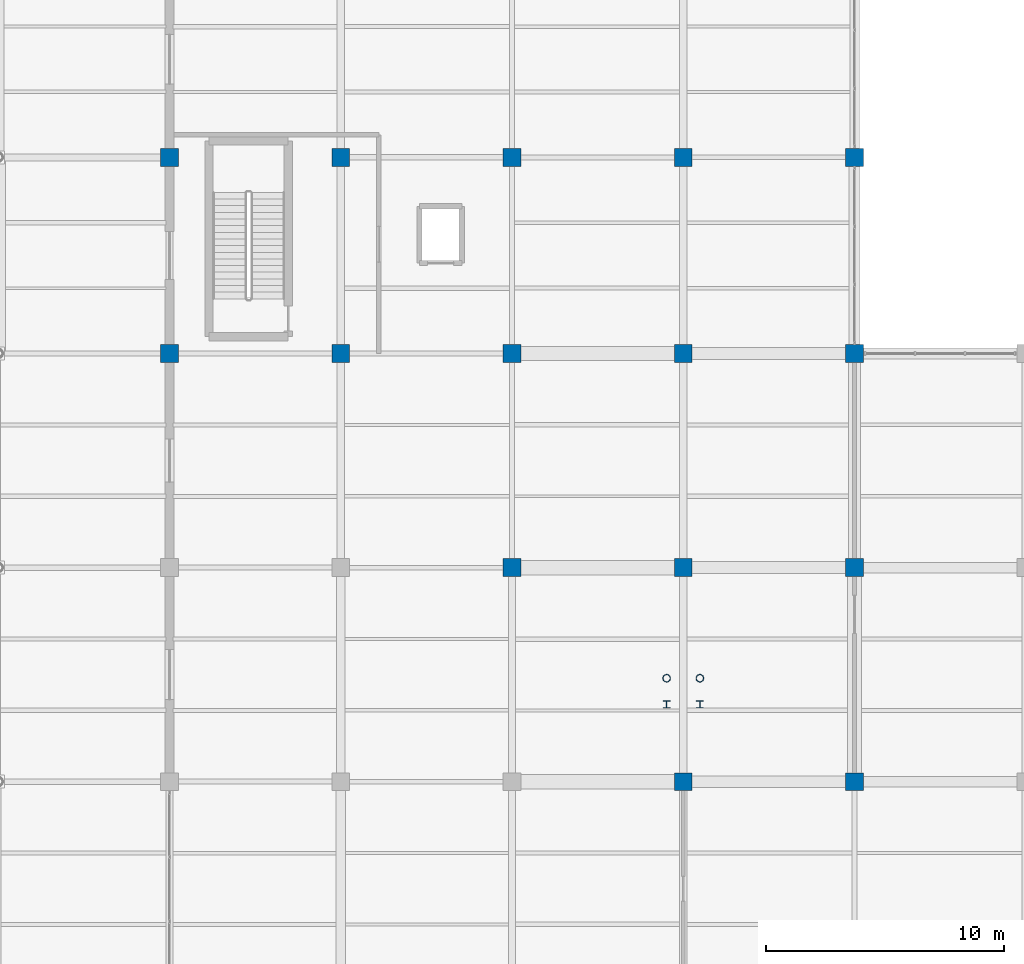
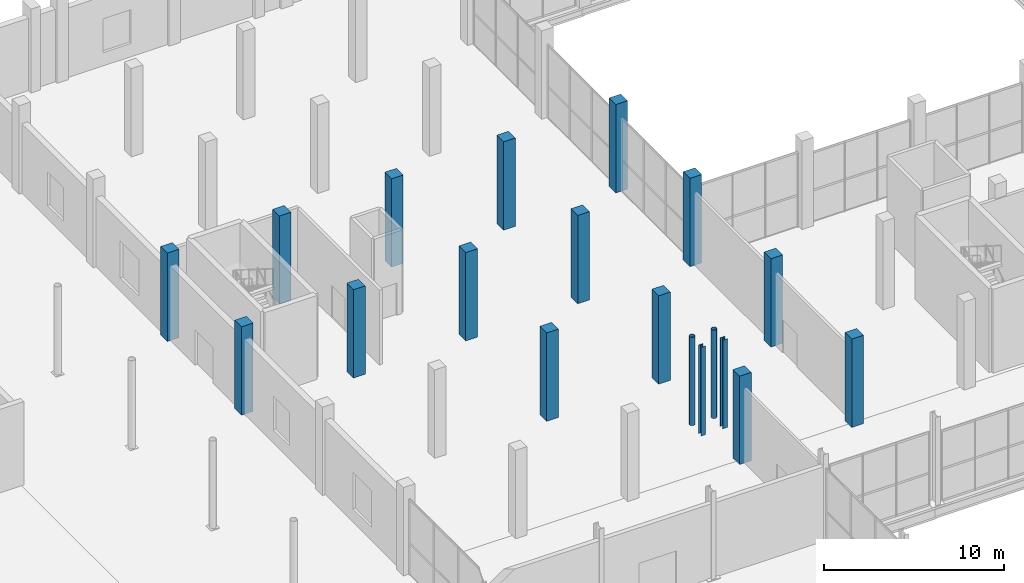
# One storey, part 8 of 144: 19 columns.
"""IFC4 building model written with IfcOpenShell, lengths in metres."""

from ifc_helpers import new_model, si_unit, direction, frame, origin, origin_2d, place, context, subcontext, project, spatial, rectangle, hollow_circle, i_section, extrude, material, material_profile, profile_set, type_object, element, save


model = new_model("IFC4")

# Units and contexts
model_context = context("Model", 3, precision=1e-05, world=origin(), true_north=direction((0.0, 1.0)))
body_context = subcontext(model_context, "Body", "Model", "MODEL_VIEW")
ifc_project = project(units=[si_unit("LENGTHUNIT", "METRE"), si_unit("AREAUNIT", "SQUARE_METRE"), si_unit("VOLUMEUNIT", "CUBIC_METRE"), si_unit("PLANEANGLEUNIT", "RADIAN"), si_unit("MASSUNIT", "GRAM", prefix="KILO")], contexts=[model_context])

# Site, building, storey
site_placement = place(None, origin())
site = spatial("IfcSite", under=ifc_project, at=site_placement, CompositionType="ELEMENT")
building_placement = place(site_placement, origin())
building = spatial("IfcBuilding", under=site, at=building_placement, Name="Sundgate Opera House", CompositionType="ELEMENT")
storey_placement = place(building_placement, origin())
storey = spatial("IfcBuildingStorey", under=building, at=storey_placement, Name="L00", CompositionType="ELEMENT", Elevation=0.0)

# Columns
ifc_material_1 = material(Name="Steel S355J2", Category="steel")
ifc_material_profile_1 = material_profile(ifc_material_1, hollow_circle(Radius=0.161865234375, WallThickness=0.01611328125, at=origin_2d()), Name="CHS 323.9x16.0")
ifc_profile_set_1 = profile_set([ifc_material_profile_1], Name="Steel S355J2")
column_type_1 = type_object("IfcColumnType", Name="CL-CHS-324", PredefinedType="COLUMN", material=ifc_profile_set_1)
for number, where, z_axis, x_axis, name in (
    (1, (116.300048828125, 73.35009765625, 0.0), (0.0, 0.0, 1.0), (1.0, 0.0, 0.0), "Orchestra Observation Gallery Straight Stair Post C L00"),
    (2, (117.699951171875, 73.35009765625, 0.0), (0.0, 0.0, 1.0), (1.0, 0.0, 0.0), "Orchestra Observation Gallery Straight Stair Post D L00"),
):
    element("IfcColumn", number, at=place(storey_placement, frame(where, z_axis=z_axis, x_axis=x_axis)), inside=storey, type_object=column_type_1, Name=name, PredefinedType="COLUMN", context=body_context, shape_type="SweptSolid", body=[
        extrude(hollow_circle(Radius=0.161865234375, WallThickness=0.01611328125, at=origin_2d()), origin(), (0.0, 0.0, 1.0), 6.0),
    ])
ifc_material_2 = material(Name="Concrete C40/50", Category="concrete")
ifc_material_profile_2 = material_profile(ifc_material_2, rectangle(XDim=0.75, YDim=0.75, at=origin_2d()), Name="RC 750x750")
ifc_profile_set_2 = profile_set([ifc_material_profile_2], Name="Concrete C40/50")
column_type_2 = type_object("IfcColumnType", Name="CL-RC-750", PredefinedType="COLUMN", material=ifc_profile_set_2)
for number, where, z_axis, x_axis, name in (
    (3, (95.39990234375, 87.0, 0.0), (0.0, 0.0, 1.0), (1.0, 0.0, 0.0), "L00 Column C0669"),
    (4, (95.39990234375, 95.25, 0.0), (0.0, 0.0, 1.0), (1.0, 0.0, 0.0), "L00 Column C0675"),
    (5, (102.60009765625, 87.0, 0.0), (0.0, 0.0, 1.0), (1.0, 0.0, 0.0), "L00 Column C0733"),
    (6, (102.60009765625, 95.25, 0.0), (0.0, 0.0, 1.0), (1.0, 0.0, 0.0), "L00 Column C0739"),
    (7, (109.800048828125, 78.0, 0.0), (0.0, 0.0, 1.0), (1.0, 0.0, 0.0), "L00 Column C0791"),
    (8, (109.800048828125, 87.0, 0.0), (0.0, 0.0, 1.0), (1.0, 0.0, 0.0), "L00 Column C0794"),
    (9, (109.800048828125, 95.25, 0.0), (0.0, 0.0, 1.0), (1.0, 0.0, 0.0), "L00 Column C0800"),
    (10, (117.0, 69.0, 0.0), (0.0, 0.0, 1.0), (1.0, 0.0, 0.0), "L00 Column C0849"),
    (11, (117.0, 78.0, 0.0), (0.0, 0.0, 1.0), (1.0, 0.0, 0.0), "L00 Column C0855"),
    (12, (117.0, 87.0, 0.0), (0.0, 0.0, 1.0), (1.0, 0.0, 0.0), "L00 Column C0858"),
    (13, (117.0, 95.25, 0.0), (0.0, 0.0, 1.0), (1.0, 0.0, 0.0), "L00 Column C0864"),
    (14, (124.199951171875, 69.0, 0.0), (0.0, 0.0, 1.0), (1.0, 0.0, 0.0), "L00 Column C0909"),
    (15, (124.199951171875, 78.0, 0.0), (0.0, 0.0, 1.0), (1.0, 0.0, 0.0), "L00 Column C0915"),
    (16, (124.199951171875, 87.0, 0.0), (0.0, 0.0, 1.0), (1.0, 0.0, 0.0), "L00 Column C0921"),
    (17, (124.199951171875, 95.25, 0.0), (0.0, 0.0, 1.0), (1.0, 0.0, 0.0), "L00 Column C0927"),
):
    element("IfcColumn", number, at=place(storey_placement, frame(where, z_axis=z_axis, x_axis=x_axis)), inside=storey, type_object=column_type_2, Name=name, PredefinedType="COLUMN", context=body_context, shape_type="SweptSolid", body=[
        extrude(rectangle(XDim=0.75, YDim=0.75, at=origin_2d()), origin(), (0.0, 0.0, 1.0), 6.0),
    ])
ifc_material_3 = material(Name="Steel S355J2", Category="steel")
ifc_material_profile_3 = material_profile(ifc_material_3, i_section(OverallWidth=0.300048828125, OverallDepth=0.300048828125, WebThickness=0.010986328125, FlangeThickness=0.01904296875, at=origin_2d()), Name="HEB 300")
ifc_profile_set_3 = profile_set([ifc_material_profile_3], Name="Steel S355J2")
column_type_3 = type_object("IfcColumnType", Name="CL-STL-300", PredefinedType="COLUMN", material=ifc_profile_set_3)
for number, where, z_axis, x_axis, name in (
    (18, (116.300048828125, 72.25, 0.0), (0.0, 0.0, 1.0), (1.0, 0.0, 0.0), "Orchestra Observation Gallery Straight Stair Post A L00"),
    (19, (117.699951171875, 72.25, 0.0), (0.0, 0.0, 1.0), (1.0, 0.0, 0.0), "Orchestra Observation Gallery Straight Stair Post B L00"),
):
    element("IfcColumn", number, at=place(storey_placement, frame(where, z_axis=z_axis, x_axis=x_axis)), inside=storey, type_object=column_type_3, Name=name, PredefinedType="COLUMN", context=body_context, shape_type="SweptSolid", body=[
        extrude(i_section(OverallWidth=0.300048828125, OverallDepth=0.300048828125, WebThickness=0.010986328125, FlangeThickness=0.01904296875, at=origin_2d()), origin(), (0.0, 0.0, 1.0), 6.0),
    ])

save(model, "model.ifc")
